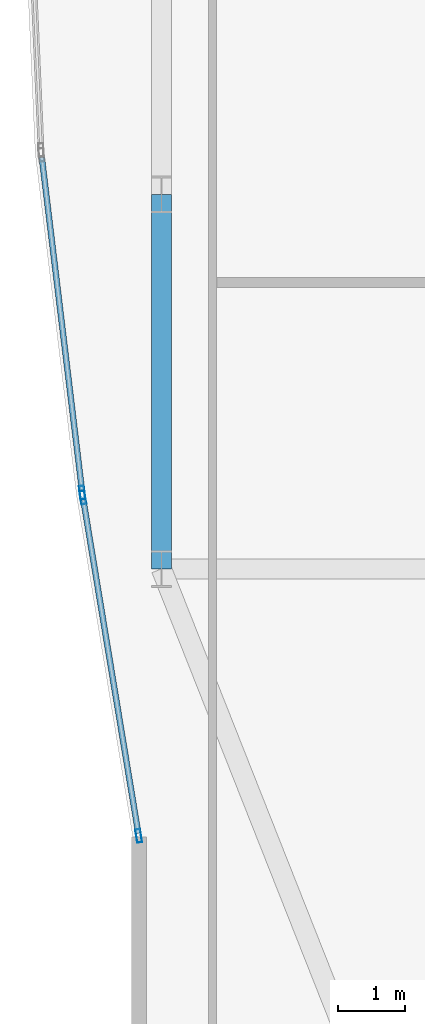
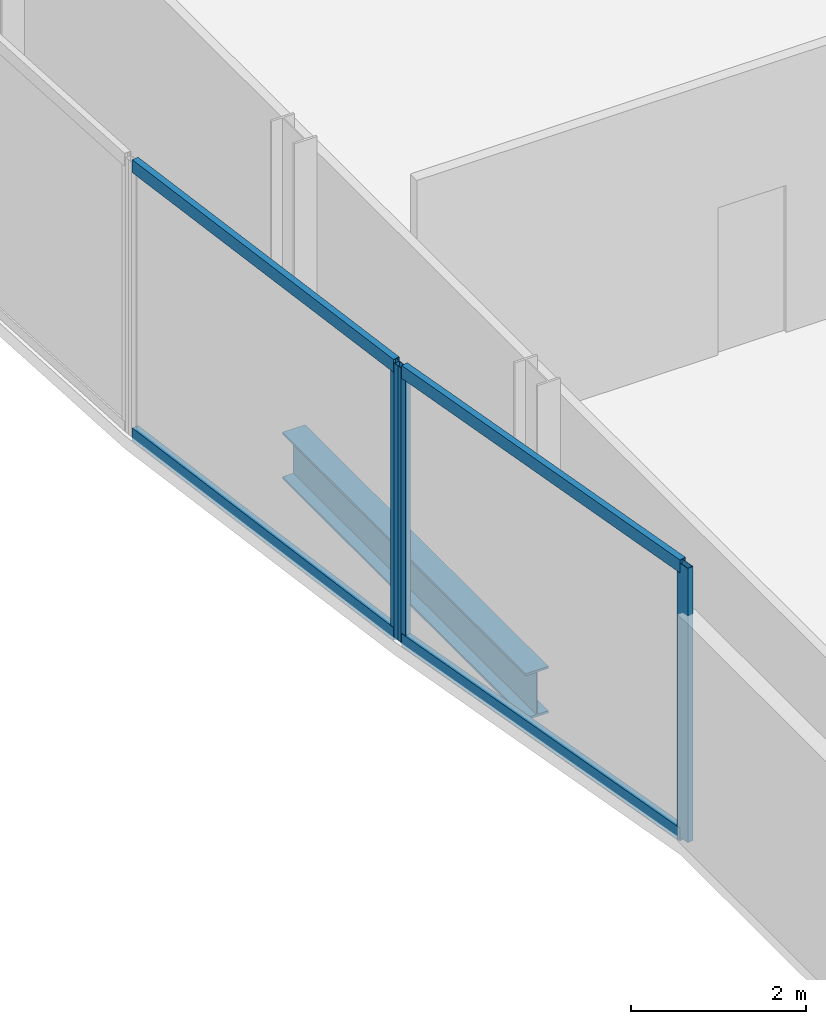
# One storey, part 6 of 32: 7 members, 1 beam, 2 elements without a shape of their own.
"""IFC4 building model written with IfcOpenShell, lengths in metres."""

from ifc_helpers import new_model, si_unit, direction, frame, origin, origin_2d, place, context, subcontext, project, spatial, hollow_rectangle, i_section, extrude, material, material_profile, profile_set, type_object, element, aggregate, save


model = new_model("IFC4")

# Units and contexts
model_context = context("Model", 3, precision=1e-05, world=origin(), true_north=direction((0.0, 1.0)))
body_context = subcontext(model_context, "Body", "Model", "MODEL_VIEW")
ifc_project = project(units=[si_unit("LENGTHUNIT", "METRE"), si_unit("AREAUNIT", "SQUARE_METRE"), si_unit("VOLUMEUNIT", "CUBIC_METRE"), si_unit("PLANEANGLEUNIT", "RADIAN"), si_unit("MASSUNIT", "GRAM", prefix="KILO")], contexts=[model_context])

# Site, building, storey
site_placement = place(None, origin())
site = spatial("IfcSite", under=ifc_project, at=site_placement, CompositionType="ELEMENT")
building_placement = place(site_placement, origin())
building = spatial("IfcBuilding", under=site, at=building_placement, Name="Khoronbel Lancet Exchange", CompositionType="ELEMENT")
storey_placement = place(building_placement, frame((0.0, 0.0, 65.800048828125)))
storey = spatial("IfcBuildingStorey", under=building, at=storey_placement, Name="L15", CompositionType="ELEMENT", Elevation=65.800048828125)

# Beam
ifc_material_1 = material(Name="Steel S355", Category="steel")
ifc_material_profile_1 = material_profile(ifc_material_1, i_section(OverallWidth=0.300048828125, OverallDepth=0.64990234375, WebThickness=0.01611328125, FlangeThickness=0.031005859375, at=origin_2d()), Name="HEB 650")
ifc_profile_set_1 = profile_set([ifc_material_profile_1], Name="Steel S355")
beam_type = type_object("IfcBeamType", Name="BM-BSP1", PredefinedType="SPANDREL", material=ifc_profile_set_1)
beam_placement = place(storey_placement, frame((1.27001953125, 24.75, -0.505126953125), z_axis=(0.0, -1.0, 0.0), x_axis=(1.0, 0.0, 0.0)))
element("IfcBeam", 1, at=beam_placement, inside=storey, type_object=beam_type, Name="Level L15 perimeter spandrel beam SP20", PredefinedType="SPANDREL", context=body_context, shape_type="SweptSolid", body=[
    extrude(i_section(OverallWidth=0.300048828125, OverallDepth=0.64990234375, WebThickness=0.01611328125, FlangeThickness=0.031005859375, at=origin_2d()), origin(), (0.0, 0.0, 1.0), 5.550048828125),
])

# Curtain wall, members
ifc_material_2 = material(Name="Low-E Solar Control Insulating Glass", Category="glass")
curtain_wall_type = type_object("IfcCurtainWallType", Name="CW-4", PredefinedType="NOTDEFINED", material=ifc_material_2)
curtain_wall_1_placement = place(storey_placement, origin())
curtain_wall_1 = element("IfcCurtainWall", 2, at=curtain_wall_1_placement, inside=storey, type_object=curtain_wall_type, Name="Unitised curtain wall CW-L15-E04", PredefinedType="NOTDEFINED")
ifc_material_3 = material(Name="Bronze-Anodised Aluminium 6063-T6", Category="aluminium")
ifc_material_profile_2 = material_profile(ifc_material_3, hollow_rectangle(XDim=0.074951171875, YDim=0.199951171875, WallThickness=0.0048828125, at=origin_2d()), Name="ALU MULLION 75x200")
ifc_profile_set_2 = profile_set([ifc_material_profile_2], Name="Bronze-Anodised Aluminium 6063-T6")
member_type_1 = type_object("IfcMemberType", Name="MEM-CWM2", PredefinedType="MULLION", material=ifc_profile_set_2)
member_1_placement = place(storey_placement, frame((0.933837890625, 15.244384765625, 0.0), z_axis=(0.0, 0.0, 1.0), x_axis=(-0.986681675242, -0.162663062008, 0.0)))
member_1 = element("IfcMember", 3, at=member_1_placement, type_object=member_type_1, Name="CW4 mullion 1", PredefinedType="MULLION", context=body_context, shape_type="SweptSolid", body=[
    extrude(hollow_rectangle(XDim=0.074951171875, YDim=0.199951171875, WallThickness=0.0048828125, at=origin_2d()), origin(), (0.0, 0.0, 1.0), 3.820068359375),
])
member_2_placement = place(storey_placement, frame((0.107177734375, 20.259033203125, 0.0), z_axis=(0.0, 0.0, 1.0), x_axis=(-0.986681675242, -0.162663062008, 0.0)))
member_2 = element("IfcMember", 4, at=member_2_placement, type_object=member_type_1, Name="CW4 mullion 2", PredefinedType="MULLION", context=body_context, shape_type="SweptSolid", body=[
    extrude(hollow_rectangle(XDim=0.074951171875, YDim=0.199951171875, WallThickness=0.0048828125, at=origin_2d()), origin(), (0.0, 0.0, 1.0), 3.820068359375),
])

# Curtain wall, member
curtain_wall_2_placement = place(storey_placement, origin())
curtain_wall_2 = element("IfcCurtainWall", 5, at=curtain_wall_2_placement, inside=storey, type_object=curtain_wall_type, Name="Unitised curtain wall CW-L15-E05", PredefinedType="NOTDEFINED")
member_3_placement = place(storey_placement, frame((0.0966796875, 20.333251953125, 0.0), z_axis=(0.0, 0.0, 1.0), x_axis=(-0.992797337114, -0.119805873895, 0.0)))
member_3 = element("IfcMember", 6, at=member_3_placement, type_object=member_type_1, Name="CW4 mullion 1", PredefinedType="MULLION", context=body_context, shape_type="SweptSolid", body=[
    extrude(hollow_rectangle(XDim=0.074951171875, YDim=0.199951171875, WallThickness=0.0048828125, at=origin_2d()), origin(), (0.0, 0.0, 1.0), 3.820068359375),
])

# Member
ifc_material_profile_3 = material_profile(ifc_material_3, hollow_rectangle(XDim=0.0849609375, YDim=0.179931640625, WallThickness=0.0048828125, at=origin_2d()), Name="ALU TRANSOM 85x180")
ifc_profile_set_3 = profile_set([ifc_material_profile_3], Name="Bronze-Anodised Aluminium 6063-T6")
member_type_2 = type_object("IfcMemberType", Name="MEM-CWT1", PredefinedType="USERDEFINED", material=ifc_profile_set_3)
member_4_placement = place(storey_placement, frame((0.927734375, 15.281494140625, 0.04248046875), z_axis=(-0.162659229893, 0.986682306992, 0.0), x_axis=(-0.986682306992, -0.162659229893, 0.0)))
member_4 = element("IfcMember", 7, at=member_4_placement, type_object=member_type_2, Name="CW4 transom 1.1", ObjectType="TRANSOM", PredefinedType="USERDEFINED", context=body_context, shape_type="SweptSolid", body=[
    extrude(hollow_rectangle(XDim=0.0849609375, YDim=0.179931640625, WallThickness=0.0048828125, at=origin_2d()), origin(), (0.0, 0.0, 1.0), 5.007080078125),
])

member_5_placement = place(storey_placement, frame((0.927734375, 15.281494140625, 3.77734375), z_axis=(-0.162659229893, 0.986682306992, 0.0), x_axis=(-0.986682306992, -0.162659229893, 0.0)))
member_5 = element("IfcMember", 8, at=member_5_placement, type_object=member_type_2, Name="CW4 transom 1.2", ObjectType="TRANSOM", PredefinedType="USERDEFINED", context=body_context, shape_type="SweptSolid", body=[
    extrude(hollow_rectangle(XDim=0.0849609375, YDim=0.179931640625, WallThickness=0.0048828125, at=origin_2d()), origin(), (0.0, 0.0, 1.0), 5.007080078125),
])

aggregate(curtain_wall_1, [member_1, member_2, member_4, member_5])

member_6_placement = place(storey_placement, frame((0.092041015625, 20.370361328125, 0.04248046875), z_axis=(-0.119785063408, 0.992799848199, 0.0), x_axis=(-0.992799848199, -0.119785063408, 0.0)))
member_6 = element("IfcMember", 9, at=member_6_placement, type_object=member_type_2, Name="CW4 transom 1.1", ObjectType="TRANSOM", PredefinedType="USERDEFINED", context=body_context, shape_type="SweptSolid", body=[
    extrude(hollow_rectangle(XDim=0.0849609375, YDim=0.179931640625, WallThickness=0.0048828125, at=origin_2d()), origin(), (0.0, 0.0, 1.0), 4.96484375),
])

member_7_placement = place(storey_placement, frame((0.092041015625, 20.370361328125, 3.77734375), z_axis=(-0.119785063408, 0.992799848199, 0.0), x_axis=(-0.992799848199, -0.119785063408, 0.0)))
member_7 = element("IfcMember", 10, at=member_7_placement, type_object=member_type_2, Name="CW4 transom 1.2", ObjectType="TRANSOM", PredefinedType="USERDEFINED", context=body_context, shape_type="SweptSolid", body=[
    extrude(hollow_rectangle(XDim=0.0849609375, YDim=0.179931640625, WallThickness=0.0048828125, at=origin_2d()), origin(), (0.0, 0.0, 1.0), 4.96484375),
])

aggregate(curtain_wall_2, [member_3, member_6, member_7])

save(model, "model.ifc")
